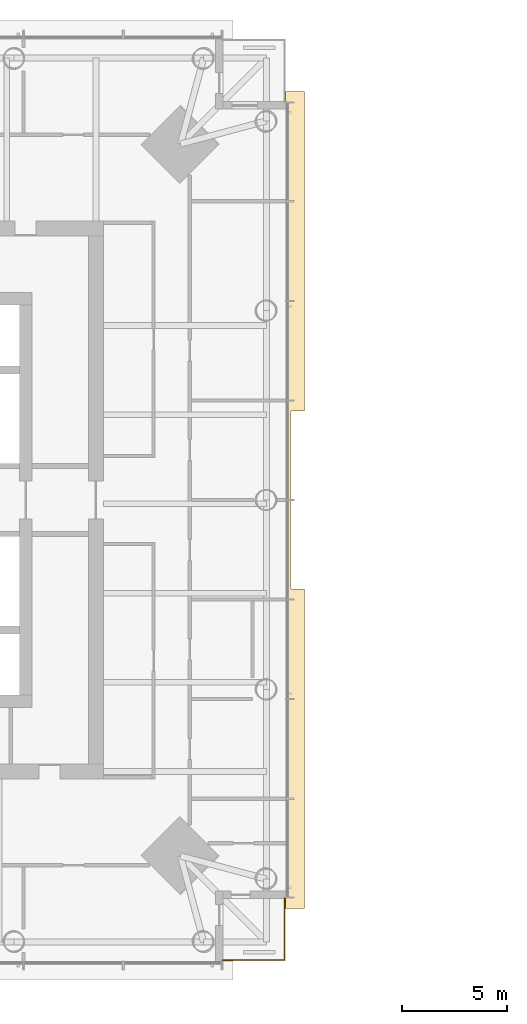
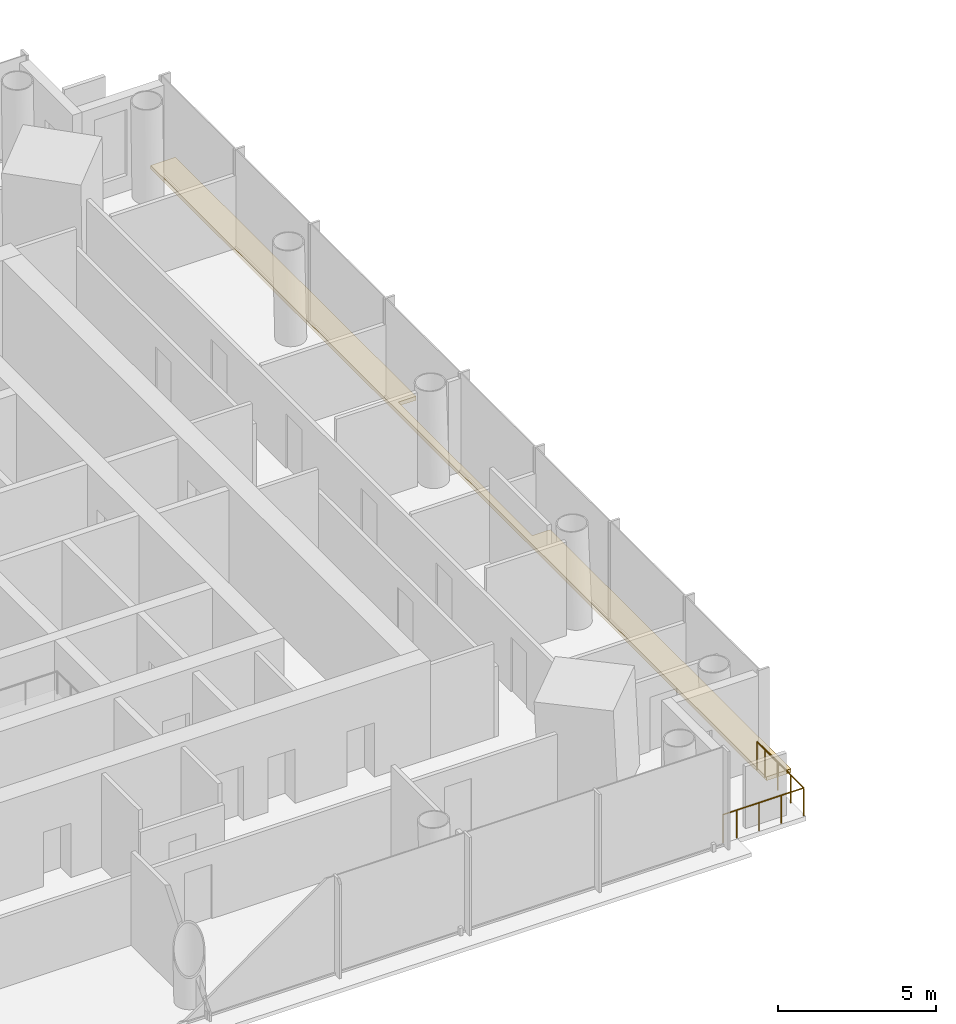
# One storey, part 25 of 27: 3 railings, 1 covering.
"""IFC4 building model written with IfcOpenShell, lengths in metres."""

from ifc_helpers import new_model, si_unit, direction, frame, origin, origin_2d, place, context, subcontext, project, spatial, polyline, circle, outline, extrude, material, layer, layer_set, type_object, element, save


model = new_model("IFC4")

# Units and contexts
model_context = context("Model", 3, precision=1e-05, world=origin(), true_north=direction((0.0, 1.0)))
body_context = subcontext(model_context, "Body", "Model", "MODEL_VIEW")
ifc_project = project(units=[si_unit("LENGTHUNIT", "METRE"), si_unit("AREAUNIT", "SQUARE_METRE"), si_unit("VOLUMEUNIT", "CUBIC_METRE"), si_unit("PLANEANGLEUNIT", "RADIAN"), si_unit("MASSUNIT", "GRAM", prefix="KILO")], contexts=[model_context])

# Site, building, storey
site_placement = place(None, origin())
site = spatial("IfcSite", under=ifc_project, at=site_placement, CompositionType="ELEMENT")
building_placement = place(site_placement, origin())
building = spatial("IfcBuilding", under=site, at=building_placement, Name="Ostroluk Exchange", CompositionType="ELEMENT")
storey_placement = place(building_placement, frame((0.0, 0.0, 112.199951171875)))
storey = spatial("IfcBuildingStorey", under=building, at=storey_placement, Name="L28", CompositionType="ELEMENT", Elevation=112.199951171875)

# Railings
ifc_material_1 = material(Name="Stainless steel", Category="steel")
railing_type_1 = type_object("IfcRailingType", Name="Guard 1100 stainless steel", PredefinedType="GUARDRAIL", material=ifc_material_1)
railing_1_placement = place(storey_placement, frame((64.5, 24.050048828125, 0.0)))
element("IfcRailing", 1, at=railing_1_placement, inside=storey, type_object=railing_type_1, Name="Office tower SE balcony guard L28", PredefinedType="GUARDRAIL", context=body_context, shape_type="SweptSolid", body=[
    extrude(circle(Radius=0.02392578125, at=origin_2d()), frame((0.0, 0.0, 1.076171875), z_axis=(1.0, 0.0, 0.0), x_axis=(0.0, 1.0, 0.0)), (0.0, 0.0, 1.0), 2.449951171875),
    extrude(circle(Radius=0.02392578125, at=origin_2d()), frame((2.449951171875, 0.0, 1.076171875), z_axis=(0.0, 1.0, 0.0), x_axis=(-1.0, 0.0, 0.0)), (0.0, 0.0, 1.0), 2.449951171875),
    extrude(circle(Radius=0.02099609375, at=origin_2d()), origin(), (0.0, 0.0, 1.0), 1.052001953125),
    extrude(circle(Radius=0.02099609375, at=origin_2d()), frame((0.816650390625, 0.0, 0.0)), (0.0, 0.0, 1.0), 1.052001953125),
    extrude(circle(Radius=0.02099609375, at=origin_2d()), frame((1.63330078125, 0.0, 0.0)), (0.0, 0.0, 1.0), 1.052001953125),
    extrude(circle(Radius=0.02099609375, at=origin_2d()), frame((2.449951171875, 0.0, 0.0)), (0.0, 0.0, 1.0), 1.052001953125),
    extrude(circle(Radius=0.02099609375, at=origin_2d()), frame((2.449951171875, 0.816650390625, 0.0)), (0.0, 0.0, 1.0), 1.052001953125),
    extrude(circle(Radius=0.02099609375, at=origin_2d()), frame((2.449951171875, 1.63330078125, 0.0)), (0.0, 0.0, 1.0), 1.052001953125),
    extrude(circle(Radius=0.02099609375, at=origin_2d()), frame((2.449951171875, 2.449951171875, 0.0)), (0.0, 0.0, 1.0), 1.052001953125),
])
ifc_material_2 = material(Name="Stainless steel", Category="steel")
railing_type_2 = type_object("IfcRailingType", Name="Lockable maintenance gate 1100", PredefinedType="GUARDRAIL", material=ifc_material_2)
railing_2_placement = place(storey_placement, frame((64.0, 24.050048828125, 0.0)))
element("IfcRailing", 2, at=railing_2_placement, inside=storey, type_object=railing_type_2, Name="Lockable maintenance gate T1 L28 SE", PredefinedType="GUARDRAIL", context=body_context, shape_type="SweptSolid", body=[
    extrude(circle(Radius=0.02392578125, at=origin_2d()), frame((0.0, 0.0, 1.076171875), z_axis=(1.0, 0.0, 0.0), x_axis=(0.0, 1.0, 0.0)), (0.0, 0.0, 1.0), 0.5),
    extrude(circle(Radius=0.02099609375, at=origin_2d()), origin(), (0.0, 0.0, 1.0), 1.052001953125),
    extrude(circle(Radius=0.02099609375, at=origin_2d()), frame((0.5, 0.0, 0.0)), (0.0, 0.0, 1.0), 1.052001953125),
])
railing_3_placement = place(storey_placement, frame((66.949951171875, 26.5, 0.0)))
element("IfcRailing", 3, at=railing_3_placement, inside=storey, type_object=railing_type_2, Name="Lockable maintenance gate T1 L28 SE", PredefinedType="GUARDRAIL", context=body_context, shape_type="SweptSolid", body=[
    extrude(circle(Radius=0.02392578125, at=origin_2d()), frame((0.0, 0.0, 1.076171875), z_axis=(0.0, 1.0, 0.0), x_axis=(-1.0, 0.0, 0.0)), (0.0, 0.0, 1.0), 0.5),
    extrude(circle(Radius=0.02099609375, at=origin_2d()), origin(), (0.0, 0.0, 1.0), 1.052001953125),
    extrude(circle(Radius=0.02099609375, at=origin_2d()), frame((0.0, 0.5, 0.0)), (0.0, 0.0, 1.0), 1.052001953125),
])

# Covering
ifc_material_3 = material(Name="Insulated steel roof deck with membrane, laid to falls, aluminium coping", Category="steel")
ifc_layer = layer(ifc_material_3, 0.14990234375)
ifc_layer_set = layer_set([ifc_layer], Name="Setback maintenance roof")
covering_type = type_object("IfcCoveringType", Name="Setback maintenance roof", PredefinedType="ROOFING", material=ifc_layer_set)
covering_placement = place(storey_placement, frame((0.0, 0.0, -0.14990234375)))
element("IfcCovering", 4, at=covering_placement, inside=storey, type_object=covering_type, Name="Maintenance roof, setback L28 east", PredefinedType="ROOFING", context=body_context, shape_type="SweptSolid", body=[
    extrude(outline(polyline([(67.0, 65.5), (67.89990234375, 65.5), (67.89990234375, 50.25), (67.25, 50.25), (67.25, 41.75), (67.89990234375, 41.75), (67.89990234375, 26.5), (67.0, 26.5), (67.0, 65.5)])), origin(), (0.0, 0.0, 1.0), 0.14990234375),
])

save(model, "model.ifc")
